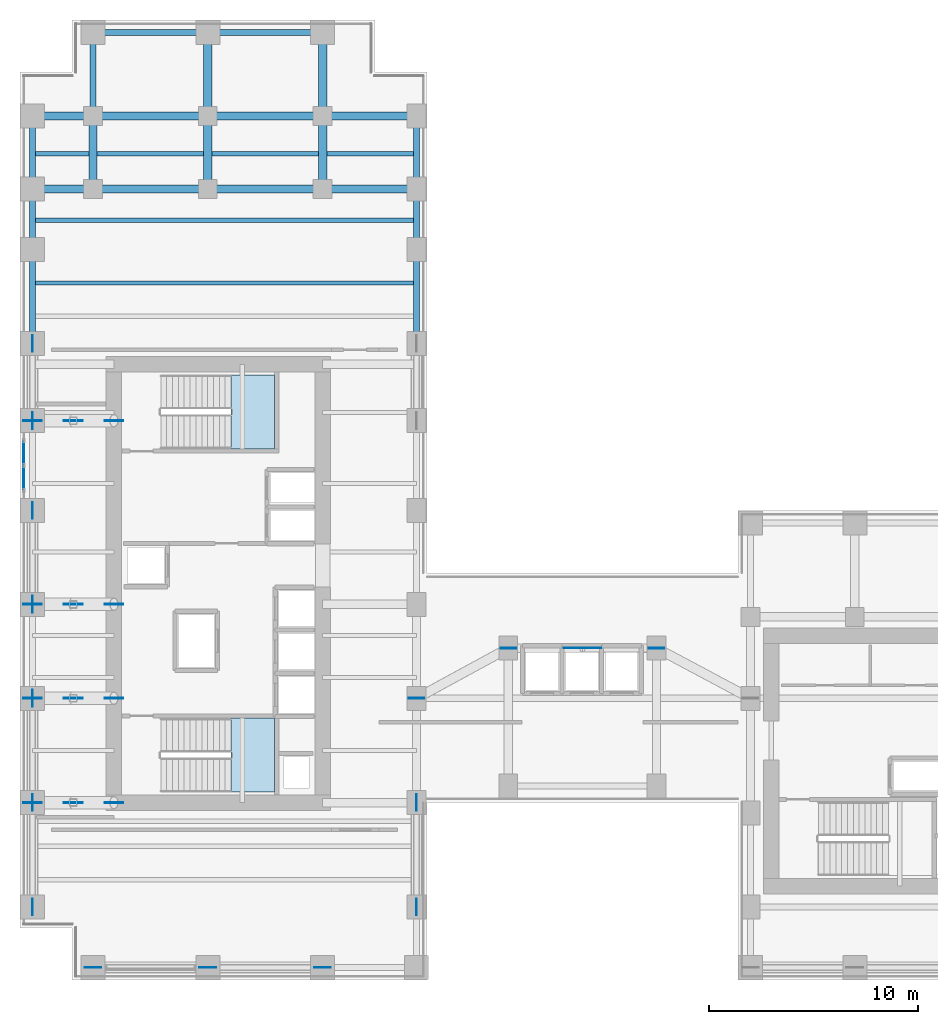
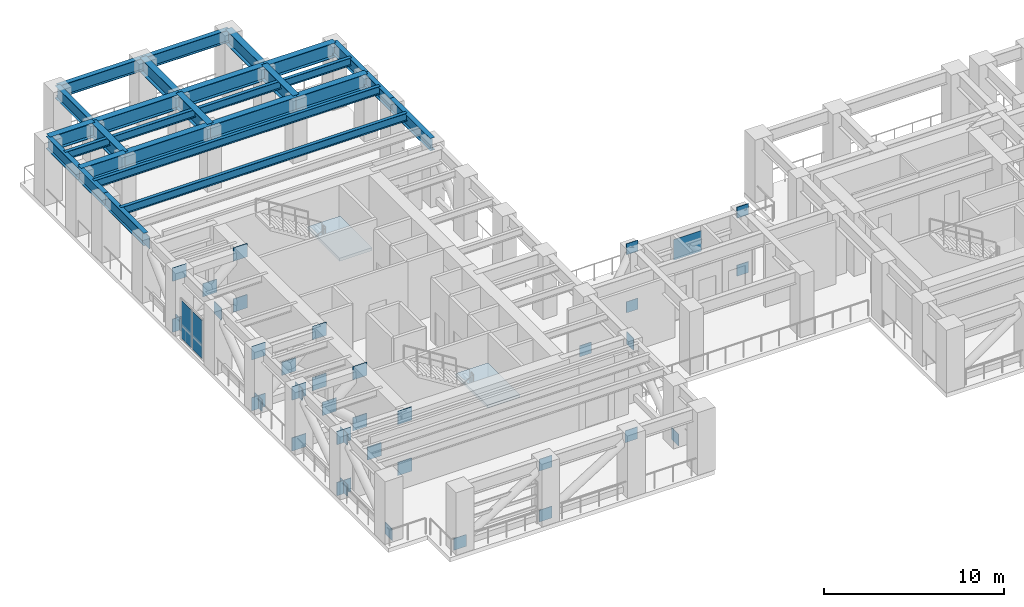
# One storey, part 7 of 16: 42 plates, 25 beams, 2 slabs, 3 elements without a shape of their own.
"""IFC4 building model written with IfcOpenShell, lengths in metres."""

from ifc_helpers import new_model, si_unit, direction, frame, origin, origin_2d, place, context, subcontext, project, spatial, polyline, rectangle, i_section, outline, extrude, source, transform, mapped, material, layer, layer_set, material_profile, profile_set, type_object, element, aggregate, save


model = new_model("IFC4")

# Units and contexts
model_context = context("Model", 3, precision=1e-05, world=origin(), true_north=direction((0.0, 1.0)))
body_context = subcontext(model_context, "Body", "Model", "MODEL_VIEW")
ifc_project = project(units=[si_unit("LENGTHUNIT", "METRE"), si_unit("AREAUNIT", "SQUARE_METRE"), si_unit("VOLUMEUNIT", "CUBIC_METRE"), si_unit("PLANEANGLEUNIT", "RADIAN"), si_unit("MASSUNIT", "GRAM", prefix="KILO")], contexts=[model_context])

# Site, building, storey
site_placement = place(None, origin())
site = spatial("IfcSite", under=ifc_project, at=site_placement, CompositionType="ELEMENT")
building_placement = place(site_placement, origin())
building = spatial("IfcBuilding", under=site, at=building_placement, Name="Kharzan Plaza Tower", CompositionType="ELEMENT")
storey_placement = place(building_placement, frame((0.0, 0.0, 138.60009765625)))
storey = spatial("IfcBuildingStorey", under=building, at=storey_placement, Name="L37", CompositionType="ELEMENT", Elevation=138.60009765625)

# Beams
ifc_material_1 = material(Name="Steel S355", Category="steel")
ifc_material_profile_1 = material_profile(ifc_material_1, i_section(OverallWidth=0.2099609375, OverallDepth=0.537109375, WebThickness=0.010986328125, FlangeThickness=0.017333984375, at=origin_2d()), Name="W530x101")
ifc_profile_set_1 = profile_set([ifc_material_profile_1], Name="Steel S355")
beam_type_1 = type_object("IfcBeamType", Name="BM-JST530B", PredefinedType="JOIST", material=ifc_profile_set_1)
shared_shape_1 = source(origin(), body_context, "Body", "SweptSolid", [
    extrude(i_section(OverallWidth=0.2099609375, OverallDepth=0.537109375, WebThickness=0.010986328125, FlangeThickness=0.017333984375, at=origin_2d()), origin(), (0.0, 0.0, 1.0), 18.39990234375),
])
for number, where, z_axis, x_axis, name in (
    (1, (0.60009765625, 33.39990234375, 3.991455078125), (1.0, 0.0, 0.0), (0.0, 1.0, 0.0), "L37 Wing A Composite Joist 05"),
    (2, (0.60009765625, 36.39990234375, 3.991455078125), (1.0, 0.0, 0.0), (0.0, 1.0, 0.0), "L37 Wing A Composite Joist 06"),
    (3, (0.60009765625, 39.60009765625, 3.991455078125), (1.0, 0.0, 0.0), (0.0, 1.0, 0.0), "L37 Wing A Composite Joist 07"),
):
    element("IfcBeam", number, at=place(storey_placement, frame(where, z_axis=z_axis, x_axis=x_axis)), inside=storey, type_object=beam_type_1, Name=name, PredefinedType="JOIST", context=body_context, shape_type="MappedRepresentation", body=[
        mapped(shared_shape_1, transform((0.0, 0.0, 0.0), x_axis=(1.0, 0.0, 0.0), y_axis=(0.0, 1.0, 0.0), z_axis=(0.0, 0.0, 1.0))),
    ])
ifc_material_profile_2 = material_profile(ifc_material_1, i_section(OverallWidth=0.39794921875, OverallDepth=1.0, WebThickness=0.017578125, FlangeThickness=0.02880859375, at=origin_2d()), Name="W1000x321")
ifc_profile_set_2 = profile_set([ifc_material_profile_2], Name="Steel S355")
beam_type_2 = type_object("IfcBeamType", Name="BM-PG1000B", PredefinedType="BEAM", material=ifc_profile_set_2)
shared_shape_2 = source(origin(), body_context, "Body", "SweptSolid", [
    extrude(i_section(OverallWidth=0.39794921875, OverallDepth=1.0, WebThickness=0.017578125, FlangeThickness=0.02880859375, at=origin_2d()), origin(), (0.0, 0.0, 1.0), 4.5),
])
for number, where, z_axis, x_axis, name in (
    (4, (14.5, 37.89990234375, 3.760009765625), (1.0, 0.0, 0.0), (0.0, 1.0, 0.0), "L37 Primary Floor Girder"),
    (5, (14.5, 41.39990234375, 3.760009765625), (1.0, 0.0, 0.0), (0.0, 1.0, 0.0), "L37 Primary Floor Girder"),
):
    element("IfcBeam", number, at=place(storey_placement, frame(where, z_axis=z_axis, x_axis=x_axis)), inside=storey, type_object=beam_type_2, Name=name, PredefinedType="BEAM", context=body_context, shape_type="MappedRepresentation", body=[
        mapped(shared_shape_2, transform((0.0, 0.0, 0.0), x_axis=(1.0, 0.0, 0.0), y_axis=(0.0, 1.0, 0.0), z_axis=(0.0, 0.0, 1.0))),
    ])
shared_shape_3 = source(origin(), body_context, "Body", "SweptSolid", [
    extrude(i_section(OverallWidth=0.39794921875, OverallDepth=1.0, WebThickness=0.017578125, FlangeThickness=0.02880859375, at=origin_2d()), origin(), (0.0, 0.0, 1.0), 3.5),
])
for number, where, z_axis, x_axis, name in (
    (6, (3.5, 37.89990234375, 3.760009765625), (0.0, 1.0, 0.0), (-1.0, 0.0, 0.0), "L37 Interior Frame Girder"),
    (7, (9.0, 37.89990234375, 3.760009765625), (0.0, 1.0, 0.0), (-1.0, 0.0, 0.0), "L37 Interior Frame Girder"),
    (8, (14.5, 37.89990234375, 3.760009765625), (0.0, 1.0, 0.0), (-1.0, 0.0, 0.0), "L37 Interior Frame Girder"),
):
    element("IfcBeam", number, at=place(storey_placement, frame(where, z_axis=z_axis, x_axis=x_axis)), inside=storey, type_object=beam_type_2, Name=name, PredefinedType="BEAM", context=body_context, shape_type="MappedRepresentation", body=[
        mapped(shared_shape_3, transform((0.0, 0.0, 0.0), x_axis=(1.0, 0.0, 0.0), y_axis=(0.0, 1.0, 0.0), z_axis=(0.0, 0.0, 1.0))),
    ])
shared_shape_4 = source(origin(), body_context, "Body", "SweptSolid", [
    extrude(i_section(OverallWidth=0.39794921875, OverallDepth=1.0, WebThickness=0.017578125, FlangeThickness=0.02880859375, at=origin_2d()), origin(), (0.0, 0.0, 1.0), 4.0),
])
for number, where, z_axis, x_axis, name in (
    (9, (9.0, 41.39990234375, 3.7548828125), (0.0, 1.0, 0.0), (-1.0, 0.0, 0.0), "L37 Interior Frame Girder"),
    (10, (14.5, 41.39990234375, 3.7548828125), (0.0, 1.0, 0.0), (-1.0, 0.0, 0.0), "L37 Interior Frame Girder"),
):
    element("IfcBeam", number, at=place(storey_placement, frame(where, z_axis=z_axis, x_axis=x_axis)), inside=storey, type_object=beam_type_2, Name=name, PredefinedType="BEAM", context=body_context, shape_type="MappedRepresentation", body=[
        mapped(shared_shape_4, transform((0.0, 0.0, 0.0), x_axis=(1.0, 0.0, 0.0), y_axis=(0.0, 1.0, 0.0), z_axis=(0.0, 0.0, 1.0))),
    ])
shared_shape_5 = source(origin(), body_context, "Body", "SweptSolid", [
    extrude(i_section(OverallWidth=0.39794921875, OverallDepth=1.0, WebThickness=0.017578125, FlangeThickness=0.02880859375, at=origin_2d()), origin(), (0.0, 0.0, 1.0), 5.5),
])
for number, where, z_axis, x_axis, name in (
    (11, (3.5, 37.89990234375, 3.760009765625), (1.0, 0.0, 0.0), (0.0, 1.0, 0.0), "L37 Primary Floor Girder"),
    (12, (9.0, 37.89990234375, 3.760009765625), (1.0, 0.0, 0.0), (0.0, 1.0, 0.0), "L37 Primary Floor Girder"),
    (13, (3.5, 41.39990234375, 3.760009765625), (1.0, 0.0, 0.0), (0.0, 1.0, 0.0), "L37 Primary Floor Girder"),
    (14, (9.0, 41.39990234375, 3.760009765625), (1.0, 0.0, 0.0), (0.0, 1.0, 0.0), "L37 Primary Floor Girder"),
):
    element("IfcBeam", number, at=place(storey_placement, frame(where, z_axis=z_axis, x_axis=x_axis)), inside=storey, type_object=beam_type_2, Name=name, PredefinedType="BEAM", context=body_context, shape_type="MappedRepresentation", body=[
        mapped(shared_shape_5, transform((0.0, 0.0, 0.0), x_axis=(1.0, 0.0, 0.0), y_axis=(0.0, 1.0, 0.0), z_axis=(0.0, 0.0, 1.0))),
    ])
shared_shape_6 = source(origin(), body_context, "Body", "SweptSolid", [
    extrude(i_section(OverallWidth=0.39794921875, OverallDepth=1.0, WebThickness=0.017578125, FlangeThickness=0.02880859375, at=origin_2d()), origin(), (0.0, 0.0, 1.0), 2.89990234375),
])
for number, where, z_axis, x_axis, name in (
    (15, (0.60009765625, 37.89990234375, 3.760009765625), (1.0, 0.0, 0.0), (0.0, 1.0, 0.0), "L37 Primary Floor Girder"),
    (16, (0.60009765625, 41.39990234375, 3.760009765625), (1.0, 0.0, 0.0), (0.0, 1.0, 0.0), "L37 Primary Floor Girder"),
):
    element("IfcBeam", number, at=place(storey_placement, frame(where, z_axis=z_axis, x_axis=x_axis)), inside=storey, type_object=beam_type_2, Name=name, PredefinedType="BEAM", context=body_context, shape_type="MappedRepresentation", body=[
        mapped(shared_shape_6, transform((0.0, 0.0, 0.0), x_axis=(1.0, 0.0, 0.0), y_axis=(0.0, 1.0, 0.0), z_axis=(0.0, 0.0, 1.0))),
    ])
ifc_material_profile_3 = material_profile(ifc_material_1, i_section(OverallWidth=0.299072265625, OverallDepth=0.845947265625, WebThickness=0.015380859375, FlangeThickness=0.0244140625, at=origin_2d()), Name="W840x210")
ifc_profile_set_3 = profile_set([ifc_material_profile_3], Name="Steel S355")
beam_type_3 = type_object("IfcBeamType", Name="BM-SP840B", PredefinedType="SPANDREL", material=ifc_profile_set_3)
shared_shape_7 = source(origin(), body_context, "Body", "SweptSolid", [
    extrude(i_section(OverallWidth=0.299072265625, OverallDepth=0.845947265625, WebThickness=0.015380859375, FlangeThickness=0.0244140625, at=origin_2d()), origin(), (0.0, 0.0, 1.0), 4.5),
])
for number, where, z_axis, x_axis, name in (
    (17, (0.60009765625, 30.5, 3.8369140625), (0.0, 1.0, 0.0), (-1.0, 0.0, 0.0), "L37 Perimeter Tube Spandrel"),
    (18, (19.0, 30.5, 3.8369140625), (0.0, 1.0, 0.0), (-1.0, 0.0, 0.0), "L37 Perimeter Tube Spandrel"),
):
    element("IfcBeam", number, at=place(storey_placement, frame(where, z_axis=z_axis, x_axis=x_axis)), inside=storey, type_object=beam_type_3, Name=name, PredefinedType="SPANDREL", context=body_context, shape_type="MappedRepresentation", body=[
        mapped(shared_shape_7, transform((0.0, 0.0, 0.0), x_axis=(1.0, 0.0, 0.0), y_axis=(0.0, 1.0, 0.0), z_axis=(0.0, 0.0, 1.0))),
    ])
shared_shape_8 = source(origin(), body_context, "Body", "SweptSolid", [
    extrude(i_section(OverallWidth=0.299072265625, OverallDepth=0.845947265625, WebThickness=0.015380859375, FlangeThickness=0.0244140625, at=origin_2d()), origin(), (0.0, 0.0, 1.0), 2.89990234375),
])
for number, where, z_axis, x_axis, name in (
    (19, (0.60009765625, 35.0, 3.8369140625), (0.0, 1.0, 0.0), (-1.0, 0.0, 0.0), "L37 Perimeter Tube Spandrel"),
    (20, (19.0, 35.0, 3.8369140625), (0.0, 1.0, 0.0), (-1.0, 0.0, 0.0), "L37 Perimeter Tube Spandrel"),
):
    element("IfcBeam", number, at=place(storey_placement, frame(where, z_axis=z_axis, x_axis=x_axis)), inside=storey, type_object=beam_type_3, Name=name, PredefinedType="SPANDREL", context=body_context, shape_type="MappedRepresentation", body=[
        mapped(shared_shape_8, transform((0.0, 0.0, 0.0), x_axis=(1.0, 0.0, 0.0), y_axis=(0.0, 1.0, 0.0), z_axis=(0.0, 0.0, 1.0))),
    ])
shared_shape_9 = source(origin(), body_context, "Body", "SweptSolid", [
    extrude(i_section(OverallWidth=0.299072265625, OverallDepth=0.845947265625, WebThickness=0.015380859375, FlangeThickness=0.0244140625, at=origin_2d()), origin(), (0.0, 0.0, 1.0), 3.5),
])
for number, where, z_axis, x_axis, name in (
    (21, (0.60009765625, 37.89990234375, 3.8369140625), (0.0, 1.0, 0.0), (-1.0, 0.0, 0.0), "L37 Perimeter Tube Spandrel"),
    (22, (19.0, 37.89990234375, 3.8369140625), (0.0, 1.0, 0.0), (-1.0, 0.0, 0.0), "L37 Perimeter Tube Spandrel"),
):
    element("IfcBeam", number, at=place(storey_placement, frame(where, z_axis=z_axis, x_axis=x_axis)), inside=storey, type_object=beam_type_3, Name=name, PredefinedType="SPANDREL", context=body_context, shape_type="MappedRepresentation", body=[
        mapped(shared_shape_9, transform((0.0, 0.0, 0.0), x_axis=(1.0, 0.0, 0.0), y_axis=(0.0, 1.0, 0.0), z_axis=(0.0, 0.0, 1.0))),
    ])
shared_shape_10 = source(origin(), body_context, "Body", "SweptSolid", [
    extrude(i_section(OverallWidth=0.299072265625, OverallDepth=0.845947265625, WebThickness=0.015380859375, FlangeThickness=0.0244140625, at=origin_2d()), origin(), (0.0, 0.0, 1.0), 4.0),
])
beam_placement = place(storey_placement, frame((3.5, 41.39990234375, 3.831787109375), z_axis=(0.0, 1.0, 0.0), x_axis=(-1.0, 0.0, 0.0)))
element("IfcBeam", 23, at=beam_placement, inside=storey, type_object=beam_type_3, Name="L37 Perimeter Tube Spandrel", PredefinedType="SPANDREL", context=body_context, shape_type="MappedRepresentation", body=[
    mapped(shared_shape_10, transform((0.0, 0.0, 0.0), x_axis=(1.0, 0.0, 0.0), y_axis=(0.0, 1.0, 0.0), z_axis=(0.0, 0.0, 1.0))),
])
shared_shape_11 = source(origin(), body_context, "Body", "SweptSolid", [
    extrude(i_section(OverallWidth=0.299072265625, OverallDepth=0.845947265625, WebThickness=0.015380859375, FlangeThickness=0.0244140625, at=origin_2d()), origin(), (0.0, 0.0, 1.0), 5.5),
])
for number, where, z_axis, x_axis, name in (
    (24, (3.5, 45.39990234375, 3.831787109375), (1.0, 0.0, 0.0), (0.0, 1.0, 0.0), "L37 Perimeter Tube Spandrel"),
    (25, (9.0, 45.39990234375, 3.831787109375), (1.0, 0.0, 0.0), (0.0, 1.0, 0.0), "L37 Perimeter Tube Spandrel"),
):
    element("IfcBeam", number, at=place(storey_placement, frame(where, z_axis=z_axis, x_axis=x_axis)), inside=storey, type_object=beam_type_3, Name=name, PredefinedType="SPANDREL", context=body_context, shape_type="MappedRepresentation", body=[
        mapped(shared_shape_11, transform((0.0, 0.0, 0.0), x_axis=(1.0, 0.0, 0.0), y_axis=(0.0, 1.0, 0.0), z_axis=(0.0, 0.0, 1.0))),
    ])

# Stair, slab
ifc_material_2 = material(Name="Concrete C40/50", Category="concrete")
stair_type_1 = type_object("IfcStairType", Name="STR-ST-1", PredefinedType="HALF_TURN_STAIR", material=ifc_material_2)
stair_1_placement = place(storey_placement, origin())
stair_1 = element("IfcStair", 26, at=stair_1_placement, inside=storey, type_object=stair_type_1, Name="L37 Protected Exit Stair ST-1", PredefinedType="HALF_TURN_STAIR")
ifc_layer_1 = layer(ifc_material_2, 0.219970703125)
ifc_layer_set_1 = layer_set([ifc_layer_1], Name="Concrete C40/50")
slab_type = type_object("IfcSlabType", Name="SL-LANDING-220", PredefinedType="LANDING", material=ifc_layer_set_1)
slab_1_placement = place(storey_placement, frame((0.0, 0.0, 2.0498046875)))
slab_1 = element("IfcSlab", 27, at=slab_1_placement, type_object=slab_type, Name="ST-1 landing 1", PredefinedType="LANDING", context=body_context, shape_type="SweptSolid", body=[
    extrude(outline(polyline([(10.110107421875, 9.0), (12.199951171875, 9.0), (12.199951171875, 12.550048828125), (10.110107421875, 12.550048828125), (10.110107421875, 9.0)])), origin(), (0.0, 0.0, 1.0), 0.2001953125),
])
aggregate(stair_1, [slab_1])

stair_type_2 = type_object("IfcStairType", Name="STR-ST-2", PredefinedType="HALF_TURN_STAIR", material=ifc_material_2)
stair_2_placement = place(storey_placement, origin())
stair_2 = element("IfcStair", 28, at=stair_2_placement, inside=storey, type_object=stair_type_2, Name="L37 Protected Exit Stair ST-2", PredefinedType="HALF_TURN_STAIR")
slab_2_placement = place(storey_placement, frame((0.0, 0.0, 2.0498046875)))
slab_2 = element("IfcSlab", 29, at=slab_2_placement, type_object=slab_type, Name="ST-2 landing 1", PredefinedType="LANDING", context=body_context, shape_type="SweptSolid", body=[
    extrude(outline(polyline([(10.110107421875, 25.449951171875), (12.199951171875, 25.449951171875), (12.199951171875, 29.0), (10.110107421875, 29.0), (10.110107421875, 25.449951171875)])), origin(), (0.0, 0.0, 1.0), 0.2001953125),
])
aggregate(stair_2, [slab_2])

# Plates
ifc_material_3 = material(Name="Steel S460", Category="steel")
ifc_layer_2 = layer(ifc_material_3, 0.0400390625)
ifc_layer_set_2 = layer_set([ifc_layer_2], Name="Steel S460")
plate_type_1 = type_object("IfcPlateType", Name="PLT-BTN1", PredefinedType="USERDEFINED", material=ifc_layer_set_2)
shared_shape_12 = source(origin(), body_context, "Body", "SweptSolid", [
    extrude(rectangle(XDim=0.800048828125, YDim=0.0400390625, at=origin_2d()), origin(), (0.0, 0.0, 1.0), 0.800048828125),
])
for number, where, z_axis, x_axis, name in (
    (30, (19.0, 3.5, -0.05029296875), (0.0, 0.0, 1.0), (0.0, 1.0, 0.0), "L37 Belt Truss Node Gusset Plate BTN1-BTA-1"),
    (31, (19.0, 8.5, 3.40966796875), (0.0, 0.0, 1.0), (0.0, 1.0, 0.0), "L37 Belt Truss Node Gusset Plate BTN1-T-BTA-1"),
    (32, (3.5, 0.60009765625, -0.05029296875), (0.0, 0.0, 1.0), (1.0, 0.0, 0.0), "L37 Belt Truss Node Gusset Plate BTN1-BTS-1"),
    (33, (9.0, 0.60009765625, 3.40966796875), (0.0, 0.0, 1.0), (1.0, 0.0, 0.0), "L37 Belt Truss Node Gusset Plate BTN1-T-BTS-1"),
    (34, (9.0, 0.60009765625, -0.05029296875), (0.0, 0.0, 1.0), (1.0, 0.0, 0.0), "L37 Belt Truss Node Gusset Plate BTN1-BTS-2"),
    (35, (14.5, 0.60009765625, 3.40966796875), (0.0, 0.0, 1.0), (1.0, 0.0, 0.0), "L37 Belt Truss Node Gusset Plate BTN1-T-BTS-2"),
    (36, (0.60009765625, 3.5, -0.05029296875), (0.0, 0.0, 1.0), (0.0, 1.0, 0.0), "L37 Belt Truss Node Gusset Plate BTN1-BTW-1"),
    (37, (0.60009765625, 8.5, 3.40966796875), (0.0, 0.0, 1.0), (0.0, 1.0, 0.0), "L37 Belt Truss Node Gusset Plate BTN1-T-BTW-1"),
    (38, (0.60009765625, 8.5, -0.05029296875), (0.0, 0.0, 1.0), (0.0, 1.0, 0.0), "L37 Belt Truss Node Gusset Plate BTN1-BTW-2"),
    (39, (0.60009765625, 13.5, 3.40966796875), (0.0, 0.0, 1.0), (0.0, 1.0, 0.0), "L37 Belt Truss Node Gusset Plate BTN1-T-BTW-2"),
    (40, (0.60009765625, 18.0, -0.05029296875), (0.0, 0.0, 1.0), (0.0, 1.0, 0.0), "L37 Belt Truss Node Gusset Plate BTN1-BTW-3"),
    (41, (0.60009765625, 22.5, 3.40966796875), (0.0, 0.0, 1.0), (0.0, 1.0, 0.0), "L37 Belt Truss Node Gusset Plate BTN1-T-BTW-3"),
    (42, (0.60009765625, 26.800048828125, -0.05029296875), (0.0, 0.0, 1.0), (0.0, 1.0, 0.0), "L37 Belt Truss Node Gusset Plate BTN1-BTW-4"),
    (43, (0.60009765625, 30.5, 3.40966796875), (0.0, 0.0, 1.0), (0.0, 1.0, 0.0), "L37 Belt Truss Node Gusset Plate BTN1-T-BTW-4"),
):
    element("IfcPlate", number, at=place(storey_placement, frame(where, z_axis=z_axis, x_axis=x_axis)), inside=storey, type_object=plate_type_1, Name=name, ObjectType="GUSSET_PLATE", PredefinedType="USERDEFINED", context=body_context, shape_type="MappedRepresentation", body=[
        mapped(shared_shape_12, transform((0.0, 0.0, 0.0), x_axis=(1.0, 0.0, 0.0), y_axis=(0.0, 1.0, 0.0), z_axis=(0.0, 0.0, 1.0))),
    ])

# Curtain wall, plates
ifc_material_4 = material(Name="Unitised Bronze-Anodized Aluminium and Low-E Glass", Category="aluminium")
ifc_layer_3 = layer(ifc_material_4, 0.199951171875)
ifc_layer_set_3 = layer_set([ifc_layer_3], Name="Unitised Bronze-Anodized Aluminium and Low-E Glass")
curtain_wall_type = type_object("IfcCurtainWallType", Name="CW-SKY-4", PredefinedType="NOTDEFINED", material=ifc_layer_set_3)
curtain_wall_placement = place(storey_placement, origin())
curtain_wall = element("IfcCurtainWall", 44, at=curtain_wall_placement, inside=storey, type_object=curtain_wall_type, Name="L37 Sky-Lobby and Transfer Zone Feature Curtain Wall", PredefinedType="NOTDEFINED")
ifc_material_5 = material(Name="Dark Solar-Control Double Glazing", Category="glass")
ifc_layer_4 = layer(ifc_material_5, 0.031982421875)
ifc_layer_set_4 = layer_set([ifc_layer_4], Name="Dark Solar-Control Double Glazing")
plate_type_2 = type_object("IfcPlateType", Name="PLT-CW-GLASS", PredefinedType="CURTAIN_PANEL", material=ifc_layer_set_4)
shared_shape_13 = source(origin(), body_context, "Body", "SweptSolid", [
    extrude(rectangle(XDim=1.080078125, YDim=0.031982421875, at=origin_2d()), origin(), (0.0, 0.0, 1.0), 2.590087890625),
])
plate_1_placement = place(storey_placement, frame((0.179931640625, 24.050048828125, 0.080078125), z_axis=(0.0, 0.0, 1.0), x_axis=(0.0, 1.0, 0.0)))
plate_1 = element("IfcPlate", 45, at=plate_1_placement, type_object=plate_type_2, Name="L37 Curtain-Wall Glazed Panel 00", PredefinedType="CURTAIN_PANEL", context=body_context, shape_type="MappedRepresentation", body=[
    mapped(shared_shape_13, transform((0.0, 0.0, 0.0), x_axis=(1.0, 0.0, 0.0), y_axis=(0.0, 1.0, 0.0), z_axis=(0.0, 0.0, 1.0))),
])
plate_2_placement = place(storey_placement, frame((0.179931640625, 25.25, 0.080078125), z_axis=(0.0, 0.0, 1.0), x_axis=(0.0, 1.0, 0.0)))
plate_2 = element("IfcPlate", 46, at=plate_2_placement, type_object=plate_type_2, Name="L37 Curtain-Wall Glazed Panel 01", PredefinedType="CURTAIN_PANEL", context=body_context, shape_type="MappedRepresentation", body=[
    mapped(shared_shape_13, transform((0.0, 0.0, 0.0), x_axis=(1.0, 0.0, 0.0), y_axis=(0.0, 1.0, 0.0), z_axis=(0.0, 0.0, 1.0))),
])
aggregate(curtain_wall, [plate_1, plate_2])

# Plates
ifc_layer_5 = layer(ifc_material_3, 0.044921875)
ifc_layer_set_5 = layer_set([ifc_layer_5], Name="Steel S460")
plate_type_3 = type_object("IfcPlateType", Name="PLT-OTN1", PredefinedType="USERDEFINED", material=ifc_layer_set_5)
shared_shape_14 = source(origin(), body_context, "Body", "SweptSolid", [
    extrude(rectangle(XDim=0.89990234375, YDim=0.044921875, at=origin_2d()), origin(), (0.0, 0.0, 1.0), 0.89990234375),
])
for number, where, z_axis, x_axis, name in (
    (47, (4.5, 18.0, -0.10009765625), (0.0, 0.0, 1.0), (-1.0, 0.0, 0.0), "L37 Outrigger Truss Gusset Node Plate OTN1-OTA-E1"),
    (48, (0.60009765625, 18.0, -0.10009765625), (0.0, 0.0, 1.0), (-1.0, 0.0, 0.0), "L37 Outrigger Truss Gusset Node Plate OTN1-CB-OTA-E1"),
    (49, (0.60009765625, 18.0, 3.35986328125), (0.0, 0.0, 1.0), (-1.0, 0.0, 0.0), "L37 Outrigger Truss Gusset Node Plate OTN1-CT-OTA-E1"),
    (50, (2.550048828125, 18.0, 1.6298828125), (0.0, 0.0, 1.0), (-1.0, 0.0, 0.0), "L37 Outrigger Truss Gusset Node Plate OTN1-M-OTA-E1"),
    (51, (4.5, 18.0, 3.35986328125), (0.0, 0.0, 1.0), (-1.0, 0.0, 0.0), "L37 Outrigger Truss Gusset Node Plate OTN1-T-OTA-E1"),
    (52, (4.5, 26.800048828125, -0.10009765625), (0.0, 0.0, 1.0), (-1.0, 0.0, 0.0), "L37 Outrigger Truss Gusset Node Plate OTN1-OTA-E2"),
    (53, (0.60009765625, 26.800048828125, -0.10009765625), (0.0, 0.0, 1.0), (-1.0, 0.0, 0.0), "L37 Outrigger Truss Gusset Node Plate OTN1-CB-OTA-E2"),
    (54, (0.60009765625, 26.800048828125, 3.35986328125), (0.0, 0.0, 1.0), (-1.0, 0.0, 0.0), "L37 Outrigger Truss Gusset Node Plate OTN1-CT-OTA-E2"),
    (55, (2.550048828125, 26.800048828125, 1.6298828125), (0.0, 0.0, 1.0), (-1.0, 0.0, 0.0), "L37 Outrigger Truss Gusset Node Plate OTN1-M-OTA-E2"),
    (56, (4.5, 26.800048828125, 3.35986328125), (0.0, 0.0, 1.0), (-1.0, 0.0, 0.0), "L37 Outrigger Truss Gusset Node Plate OTN1-T-OTA-E2"),
    (57, (4.5, 8.5, -0.10009765625), (0.0, 0.0, 1.0), (-1.0, 0.0, 0.0), "L37 Outrigger Truss Gusset Node Plate OTN1-OTA-W1"),
    (58, (0.60009765625, 8.5, -0.10009765625), (0.0, 0.0, 1.0), (-1.0, 0.0, 0.0), "L37 Outrigger Truss Gusset Node Plate OTN1-CB-OTA-W1"),
    (59, (0.60009765625, 8.5, 3.35986328125), (0.0, 0.0, 1.0), (-1.0, 0.0, 0.0), "L37 Outrigger Truss Gusset Node Plate OTN1-CT-OTA-W1"),
    (60, (2.550048828125, 8.5, 1.6298828125), (0.0, 0.0, 1.0), (-1.0, 0.0, 0.0), "L37 Outrigger Truss Gusset Node Plate OTN1-M-OTA-W1"),
    (61, (4.5, 8.5, 3.35986328125), (0.0, 0.0, 1.0), (-1.0, 0.0, 0.0), "L37 Outrigger Truss Gusset Node Plate OTN1-T-OTA-W1"),
    (62, (4.5, 13.5, -0.10009765625), (0.0, 0.0, 1.0), (-1.0, 0.0, 0.0), "L37 Outrigger Truss Gusset Node Plate OTN1-OTA-W2"),
    (63, (0.60009765625, 13.5, -0.10009765625), (0.0, 0.0, 1.0), (-1.0, 0.0, 0.0), "L37 Outrigger Truss Gusset Node Plate OTN1-CB-OTA-W2"),
    (64, (0.60009765625, 13.5, 3.35986328125), (0.0, 0.0, 1.0), (-1.0, 0.0, 0.0), "L37 Outrigger Truss Gusset Node Plate OTN1-CT-OTA-W2"),
    (65, (2.550048828125, 13.5, 1.6298828125), (0.0, 0.0, 1.0), (-1.0, 0.0, 0.0), "L37 Outrigger Truss Gusset Node Plate OTN1-M-OTA-W2"),
    (66, (4.5, 13.5, 3.35986328125), (0.0, 0.0, 1.0), (-1.0, 0.0, 0.0), "L37 Outrigger Truss Gusset Node Plate OTN1-T-OTA-W2"),
):
    element("IfcPlate", number, at=place(storey_placement, frame(where, z_axis=z_axis, x_axis=x_axis)), inside=storey, type_object=plate_type_3, Name=name, ObjectType="GUSSET_PLATE", PredefinedType="USERDEFINED", context=body_context, shape_type="MappedRepresentation", body=[
        mapped(shared_shape_14, transform((0.0, 0.0, 0.0), x_axis=(1.0, 0.0, 0.0), y_axis=(0.0, 1.0, 0.0), z_axis=(0.0, 0.0, 1.0))),
    ])
ifc_layer_6 = layer(ifc_material_3, 0.0380859375)
ifc_layer_set_6 = layer_set([ifc_layer_6], Name="Steel S460")
plate_type_4 = type_object("IfcPlateType", Name="PLT-WPN1", PredefinedType="USERDEFINED", material=ifc_layer_set_6)
shared_shape_15 = source(origin(), body_context, "Body", "SweptSolid", [
    extrude(rectangle(XDim=0.75, YDim=0.0380859375, at=origin_2d()), origin(), (0.0, 0.0, 1.0), 0.75),
])
for number, where, z_axis, x_axis, name in (
    (67, (30.5, 15.89990234375, -0.175048828125), (0.0, 0.0, 1.0), (1.0, 0.0, 0.0), "L37 Wind Turbine Strut Foot Gusset Plate WPN-TSE"),
    (68, (23.39990234375, 15.89990234375, -0.175048828125), (0.0, 0.0, 1.0), (1.0, 0.0, 0.0), "L37 Wind Turbine Strut Foot Gusset Plate WPN-TSW"),
    (69, (23.39990234375, 15.89990234375, 3.764892578125), (0.0, 0.0, 1.0), (1.0, 0.0, 0.0), "L37 Wind Portal Node Gusset Plate WPN1"),
    (70, (30.5, 15.89990234375, 3.764892578125), (0.0, 0.0, 1.0), (1.0, 0.0, 0.0), "L37 Wind Portal Node Gusset Plate WPN1-ET"),
    (71, (19.0, 13.5, -0.175048828125), (0.0, 0.0, 1.0), (1.0, 0.0, 0.0), "L37 Wind Portal Node Gusset Plate WPN1-WB"),
):
    element("IfcPlate", number, at=place(storey_placement, frame(where, z_axis=z_axis, x_axis=x_axis)), inside=storey, type_object=plate_type_4, Name=name, ObjectType="GUSSET_PLATE", PredefinedType="USERDEFINED", context=body_context, shape_type="MappedRepresentation", body=[
        mapped(shared_shape_15, transform((0.0, 0.0, 0.0), x_axis=(1.0, 0.0, 0.0), y_axis=(0.0, 1.0, 0.0), z_axis=(0.0, 0.0, 1.0))),
    ])
ifc_layer_7 = layer(ifc_material_3, 0.02490234375)
ifc_layer_set_7 = layer_set([ifc_layer_7], Name="Steel S460")
plate_type_5 = type_object("IfcPlateType", Name="PLT-SHRD", PredefinedType="USERDEFINED", material=ifc_layer_set_7)
shared_shape_16 = source(origin(), body_context, "Body", "SweptSolid", [
    extrude(rectangle(XDim=1.800048828125, YDim=0.02490234375, at=origin_2d()), origin(), (0.0, 0.0, 1.0), 1.39990234375),
])
plate_3_placement = place(storey_placement, frame((26.949951171875, 15.89990234375, 2.33984375), z_axis=(0.0, 0.0, 1.0), x_axis=(1.0, 0.0, 0.0)))
element("IfcPlate", 72, at=plate_3_placement, inside=storey, type_object=plate_type_5, Name="L37 Wind Turbine Slot Shroud Plate TSN1", ObjectType="SHROUD_PLATE", PredefinedType="USERDEFINED", context=body_context, shape_type="MappedRepresentation", body=[
    mapped(shared_shape_16, transform((0.0, 0.0, 0.0), x_axis=(1.0, 0.0, 0.0), y_axis=(0.0, 1.0, 0.0), z_axis=(0.0, 0.0, 1.0))),
])

save(model, "model.ifc")
